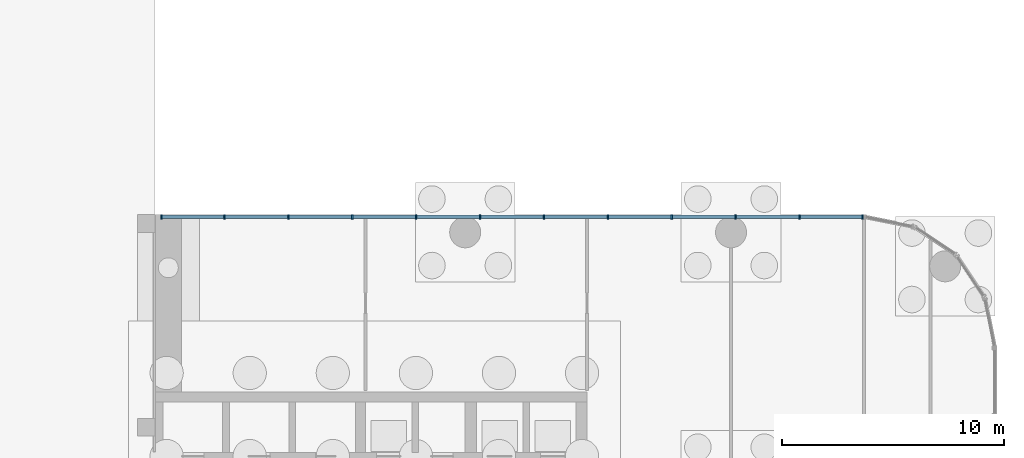
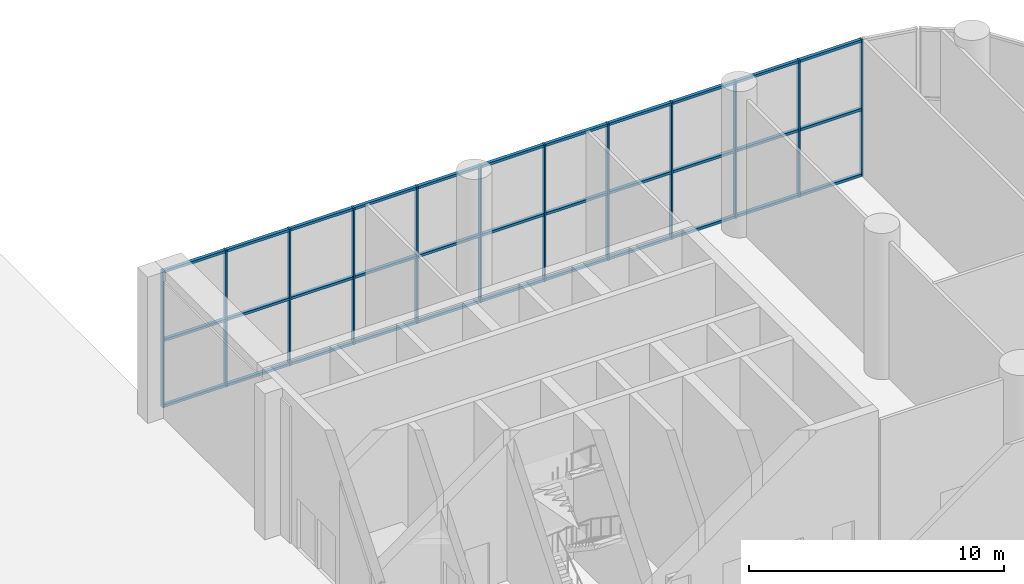
# One storey, part 11 of 26: 45 members, 1 element without a shape of its own.
"""IFC4 building model written with IfcOpenShell, lengths in metres."""

from ifc_helpers import new_model, si_unit, direction, frame, origin, origin_2d, place, context, subcontext, project, spatial, rectangle, extrude, material, layer, layer_set, material_profile, profile_set, type_object, element, aggregate, save


model = new_model("IFC4")

# Units and contexts
model_context = context("Model", 3, precision=1e-05, world=origin(), true_north=direction((0.0, 1.0)))
body_context = subcontext(model_context, "Body", "Model", "MODEL_VIEW")
ifc_project = project(units=[si_unit("LENGTHUNIT", "METRE"), si_unit("AREAUNIT", "SQUARE_METRE"), si_unit("VOLUMEUNIT", "CUBIC_METRE"), si_unit("PLANEANGLEUNIT", "RADIAN"), si_unit("MASSUNIT", "GRAM", prefix="KILO")], contexts=[model_context])

# Site, building, storey
site_placement = place(None, origin())
site = spatial("IfcSite", under=ifc_project, at=site_placement, CompositionType="ELEMENT")
building_placement = place(site_placement, origin())
building = spatial("IfcBuilding", under=site, at=building_placement, Name="Torana Hotel and Residences", CompositionType="ELEMENT")
storey_placement = place(building_placement, origin())
storey = spatial("IfcBuildingStorey", under=building, at=storey_placement, Name="L00", CompositionType="ELEMENT", Elevation=0.0)

# Curtain wall, members
ifc_material_1 = material(Name="Dark anodised aluminium", Category="aluminium")
ifc_layer = layer(ifc_material_1, 0.199951171875)
ifc_layer_set = layer_set([ifc_layer], Name="CW1 PODIUM SHOPFRONT CURTAIN WALL")
curtain_wall_type = type_object("IfcCurtainWallType", Name="CW1 PODIUM SHOPFRONT CURTAIN WALL", PredefinedType="NOTDEFINED", material=ifc_layer_set)
curtain_wall_placement = place(storey_placement, origin())
curtain_wall = element("IfcCurtainWall", 1, at=curtain_wall_placement, inside=storey, type_object=curtain_wall_type, Name="Curtain wall CW1 L00 e1.10-1", PredefinedType="NOTDEFINED")
ifc_material_2 = material(Name="Dark anodised aluminium", Category="aluminium")
ifc_material_profile_1 = material_profile(ifc_material_2, rectangle(XDim=0.199951171875, YDim=0.070068359375, at=origin_2d()), Name="CW1 MULLION 70x200")
ifc_profile_set_1 = profile_set([ifc_material_profile_1], Name="Dark anodised aluminium")
member_type_1 = type_object("IfcMemberType", Name="CW1 MULLION 70x200", PredefinedType="MULLION", material=ifc_profile_set_1)
member_1_placement = place(storey_placement, frame((41.9404296875, 7.89990234375, 0.0), z_axis=(0.0, 0.0, 1.0), x_axis=(0.0, -1.0, 0.0)))
member_1 = element("IfcMember", 2, at=member_1_placement, type_object=member_type_1, Name="CW1 mullion 1", PredefinedType="MULLION", context=body_context, shape_type="SweptSolid", body=[
    extrude(rectangle(XDim=0.199951171875, YDim=0.070068359375, at=origin_2d()), origin(), (0.0, 0.0, 1.0), 6.550048828125),
])
member_2_placement = place(storey_placement, frame((39.09130859375, 7.89990234375, 0.0), z_axis=(0.0, 0.0, 1.0), x_axis=(0.0, -1.0, 0.0)))
member_2 = element("IfcMember", 3, at=member_2_placement, type_object=member_type_1, Name="CW1 mullion 2", PredefinedType="MULLION", context=body_context, shape_type="SweptSolid", body=[
    extrude(rectangle(XDim=0.199951171875, YDim=0.070068359375, at=origin_2d()), origin(), (0.0, 0.0, 1.0), 6.550048828125),
])
member_3_placement = place(storey_placement, frame((36.20703125, 7.89990234375, 0.0), z_axis=(0.0, 0.0, 1.0), x_axis=(0.0, -1.0, 0.0)))
member_3 = element("IfcMember", 4, at=member_3_placement, type_object=member_type_1, Name="CW1 mullion 3", PredefinedType="MULLION", context=body_context, shape_type="SweptSolid", body=[
    extrude(rectangle(XDim=0.199951171875, YDim=0.070068359375, at=origin_2d()), origin(), (0.0, 0.0, 1.0), 6.550048828125),
])
member_4_placement = place(storey_placement, frame((33.322998046875, 7.89990234375, 0.0), z_axis=(0.0, 0.0, 1.0), x_axis=(0.0, -1.0, 0.0)))
member_4 = element("IfcMember", 5, at=member_4_placement, type_object=member_type_1, Name="CW1 mullion 4", PredefinedType="MULLION", context=body_context, shape_type="SweptSolid", body=[
    extrude(rectangle(XDim=0.199951171875, YDim=0.070068359375, at=origin_2d()), origin(), (0.0, 0.0, 1.0), 6.550048828125),
])
member_5_placement = place(storey_placement, frame((30.43896484375, 7.89990234375, 0.0), z_axis=(0.0, 0.0, 1.0), x_axis=(0.0, -1.0, 0.0)))
member_5 = element("IfcMember", 6, at=member_5_placement, type_object=member_type_1, Name="CW1 mullion 5", PredefinedType="MULLION", context=body_context, shape_type="SweptSolid", body=[
    extrude(rectangle(XDim=0.199951171875, YDim=0.070068359375, at=origin_2d()), origin(), (0.0, 0.0, 1.0), 6.550048828125),
])
member_6_placement = place(storey_placement, frame((27.5546875, 7.89990234375, 0.0), z_axis=(0.0, 0.0, 1.0), x_axis=(0.0, -1.0, 0.0)))
member_6 = element("IfcMember", 7, at=member_6_placement, type_object=member_type_1, Name="CW1 mullion 6", PredefinedType="MULLION", context=body_context, shape_type="SweptSolid", body=[
    extrude(rectangle(XDim=0.199951171875, YDim=0.070068359375, at=origin_2d()), origin(), (0.0, 0.0, 1.0), 6.550048828125),
])
member_7_placement = place(storey_placement, frame((24.670654296875, 7.89990234375, 0.0), z_axis=(0.0, 0.0, 1.0), x_axis=(0.0, -1.0, 0.0)))
member_7 = element("IfcMember", 8, at=member_7_placement, type_object=member_type_1, Name="CW1 mullion 7", PredefinedType="MULLION", context=body_context, shape_type="SweptSolid", body=[
    extrude(rectangle(XDim=0.199951171875, YDim=0.070068359375, at=origin_2d()), origin(), (0.0, 0.0, 1.0), 6.550048828125),
])
member_8_placement = place(storey_placement, frame((21.78662109375, 7.89990234375, 0.0), z_axis=(0.0, 0.0, 1.0), x_axis=(0.0, -1.0, 0.0)))
member_8 = element("IfcMember", 9, at=member_8_placement, type_object=member_type_1, Name="CW1 mullion 8", PredefinedType="MULLION", context=body_context, shape_type="SweptSolid", body=[
    extrude(rectangle(XDim=0.199951171875, YDim=0.070068359375, at=origin_2d()), origin(), (0.0, 0.0, 1.0), 6.550048828125),
])
member_9_placement = place(storey_placement, frame((18.90234375, 7.89990234375, 0.0), z_axis=(0.0, 0.0, 1.0), x_axis=(0.0, -1.0, 0.0)))
member_9 = element("IfcMember", 10, at=member_9_placement, type_object=member_type_1, Name="CW1 mullion 9", PredefinedType="MULLION", context=body_context, shape_type="SweptSolid", body=[
    extrude(rectangle(XDim=0.199951171875, YDim=0.070068359375, at=origin_2d()), origin(), (0.0, 0.0, 1.0), 6.550048828125),
])
member_10_placement = place(storey_placement, frame((16.018310546875, 7.89990234375, 0.0), z_axis=(0.0, 0.0, 1.0), x_axis=(0.0, -1.0, 0.0)))
member_10 = element("IfcMember", 11, at=member_10_placement, type_object=member_type_1, Name="CW1 mullion 10", PredefinedType="MULLION", context=body_context, shape_type="SweptSolid", body=[
    extrude(rectangle(XDim=0.199951171875, YDim=0.070068359375, at=origin_2d()), origin(), (0.0, 0.0, 1.0), 6.550048828125),
])
member_11_placement = place(storey_placement, frame((13.134033203125, 7.89990234375, 0.0), z_axis=(0.0, 0.0, 1.0), x_axis=(0.0, -1.0, 0.0)))
member_11 = element("IfcMember", 12, at=member_11_placement, type_object=member_type_1, Name="CW1 mullion 11", PredefinedType="MULLION", context=body_context, shape_type="SweptSolid", body=[
    extrude(rectangle(XDim=0.199951171875, YDim=0.070068359375, at=origin_2d()), origin(), (0.0, 0.0, 1.0), 6.550048828125),
])
member_12_placement = place(storey_placement, frame((10.284912109375, 7.89990234375, 0.0), z_axis=(0.0, 0.0, 1.0), x_axis=(0.0, -1.0, 0.0)))
member_12 = element("IfcMember", 13, at=member_12_placement, type_object=member_type_1, Name="CW1 mullion 12", PredefinedType="MULLION", context=body_context, shape_type="SweptSolid", body=[
    extrude(rectangle(XDim=0.199951171875, YDim=0.070068359375, at=origin_2d()), origin(), (0.0, 0.0, 1.0), 6.550048828125),
])
ifc_material_3 = material(Name="Dark anodised aluminium", Category="aluminium")
ifc_material_profile_2 = material_profile(ifc_material_3, rectangle(XDim=0.14990234375, YDim=0.1201171875, at=origin_2d()), Name="CW1 TRANSOM 150x120")
ifc_profile_set_2 = profile_set([ifc_material_profile_2], Name="Dark anodised aluminium")
member_type_2 = type_object("IfcMemberType", Name="CW1 TRANSOM 150x120", PredefinedType="USERDEFINED", material=ifc_profile_set_2)
member_13_placement = place(storey_placement, frame((41.905517578125, 7.89990234375, 0.06005859375), z_axis=(-1.0, 0.0, 0.0), x_axis=(0.0, -1.0, 0.0)))
member_13 = element("IfcMember", 14, at=member_13_placement, type_object=member_type_2, Name="CW1 transom 1.1", ObjectType="TRANSOM", PredefinedType="USERDEFINED", context=body_context, shape_type="SweptSolid", body=[
    extrude(rectangle(XDim=0.14990234375, YDim=0.1201171875, at=origin_2d()), origin(), (0.0, 0.0, 1.0), 2.779296875),
])
member_14_placement = place(storey_placement, frame((41.905517578125, 7.89990234375, 3.199951171875), z_axis=(-1.0, 0.0, 0.0), x_axis=(0.0, -1.0, 0.0)))
member_14 = element("IfcMember", 15, at=member_14_placement, type_object=member_type_2, Name="CW1 transom 1.2", ObjectType="TRANSOM", PredefinedType="USERDEFINED", context=body_context, shape_type="SweptSolid", body=[
    extrude(rectangle(XDim=0.14990234375, YDim=0.1201171875, at=origin_2d()), origin(), (0.0, 0.0, 1.0), 2.779296875),
])
member_15_placement = place(storey_placement, frame((41.905517578125, 7.89990234375, 6.489990234375), z_axis=(-1.0, 0.0, 0.0), x_axis=(0.0, -1.0, 0.0)))
member_15 = element("IfcMember", 16, at=member_15_placement, type_object=member_type_2, Name="CW1 transom 1.3", ObjectType="TRANSOM", PredefinedType="USERDEFINED", context=body_context, shape_type="SweptSolid", body=[
    extrude(rectangle(XDim=0.14990234375, YDim=0.1201171875, at=origin_2d()), origin(), (0.0, 0.0, 1.0), 2.779296875),
])
member_16_placement = place(storey_placement, frame((39.05615234375, 7.89990234375, 0.06005859375), z_axis=(-1.0, 0.0, 0.0), x_axis=(0.0, -1.0, 0.0)))
member_16 = element("IfcMember", 17, at=member_16_placement, type_object=member_type_2, Name="CW1 transom 2.1", ObjectType="TRANSOM", PredefinedType="USERDEFINED", context=body_context, shape_type="SweptSolid", body=[
    extrude(rectangle(XDim=0.14990234375, YDim=0.1201171875, at=origin_2d()), origin(), (0.0, 0.0, 1.0), 2.81396484375),
])
member_17_placement = place(storey_placement, frame((39.05615234375, 7.89990234375, 3.199951171875), z_axis=(-1.0, 0.0, 0.0), x_axis=(0.0, -1.0, 0.0)))
member_17 = element("IfcMember", 18, at=member_17_placement, type_object=member_type_2, Name="CW1 transom 2.2", ObjectType="TRANSOM", PredefinedType="USERDEFINED", context=body_context, shape_type="SweptSolid", body=[
    extrude(rectangle(XDim=0.14990234375, YDim=0.1201171875, at=origin_2d()), origin(), (0.0, 0.0, 1.0), 2.81396484375),
])
member_18_placement = place(storey_placement, frame((39.05615234375, 7.89990234375, 6.489990234375), z_axis=(-1.0, 0.0, 0.0), x_axis=(0.0, -1.0, 0.0)))
member_18 = element("IfcMember", 19, at=member_18_placement, type_object=member_type_2, Name="CW1 transom 2.3", ObjectType="TRANSOM", PredefinedType="USERDEFINED", context=body_context, shape_type="SweptSolid", body=[
    extrude(rectangle(XDim=0.14990234375, YDim=0.1201171875, at=origin_2d()), origin(), (0.0, 0.0, 1.0), 2.81396484375),
])
member_19_placement = place(storey_placement, frame((36.172119140625, 7.89990234375, 0.06005859375), z_axis=(-1.0, 0.0, 0.0), x_axis=(0.0, -1.0, 0.0)))
member_19 = element("IfcMember", 20, at=member_19_placement, type_object=member_type_2, Name="CW1 transom 3.1", ObjectType="TRANSOM", PredefinedType="USERDEFINED", context=body_context, shape_type="SweptSolid", body=[
    extrude(rectangle(XDim=0.14990234375, YDim=0.1201171875, at=origin_2d()), origin(), (0.0, 0.0, 1.0), 2.814208984375),
])
member_20_placement = place(storey_placement, frame((36.172119140625, 7.89990234375, 3.199951171875), z_axis=(-1.0, 0.0, 0.0), x_axis=(0.0, -1.0, 0.0)))
member_20 = element("IfcMember", 21, at=member_20_placement, type_object=member_type_2, Name="CW1 transom 3.2", ObjectType="TRANSOM", PredefinedType="USERDEFINED", context=body_context, shape_type="SweptSolid", body=[
    extrude(rectangle(XDim=0.14990234375, YDim=0.1201171875, at=origin_2d()), origin(), (0.0, 0.0, 1.0), 2.814208984375),
])
member_21_placement = place(storey_placement, frame((36.172119140625, 7.89990234375, 6.489990234375), z_axis=(-1.0, 0.0, 0.0), x_axis=(0.0, -1.0, 0.0)))
member_21 = element("IfcMember", 22, at=member_21_placement, type_object=member_type_2, Name="CW1 transom 3.3", ObjectType="TRANSOM", PredefinedType="USERDEFINED", context=body_context, shape_type="SweptSolid", body=[
    extrude(rectangle(XDim=0.14990234375, YDim=0.1201171875, at=origin_2d()), origin(), (0.0, 0.0, 1.0), 2.814208984375),
])
member_22_placement = place(storey_placement, frame((33.2880859375, 7.89990234375, 0.06005859375), z_axis=(-1.0, 0.0, 0.0), x_axis=(0.0, -1.0, 0.0)))
member_22 = element("IfcMember", 23, at=member_22_placement, type_object=member_type_2, Name="CW1 transom 4.1", ObjectType="TRANSOM", PredefinedType="USERDEFINED", context=body_context, shape_type="SweptSolid", body=[
    extrude(rectangle(XDim=0.14990234375, YDim=0.1201171875, at=origin_2d()), origin(), (0.0, 0.0, 1.0), 2.814208984375),
])
member_23_placement = place(storey_placement, frame((33.2880859375, 7.89990234375, 3.199951171875), z_axis=(-1.0, 0.0, 0.0), x_axis=(0.0, -1.0, 0.0)))
member_23 = element("IfcMember", 24, at=member_23_placement, type_object=member_type_2, Name="CW1 transom 4.2", ObjectType="TRANSOM", PredefinedType="USERDEFINED", context=body_context, shape_type="SweptSolid", body=[
    extrude(rectangle(XDim=0.14990234375, YDim=0.1201171875, at=origin_2d()), origin(), (0.0, 0.0, 1.0), 2.814208984375),
])
member_24_placement = place(storey_placement, frame((33.2880859375, 7.89990234375, 6.489990234375), z_axis=(-1.0, 0.0, 0.0), x_axis=(0.0, -1.0, 0.0)))
member_24 = element("IfcMember", 25, at=member_24_placement, type_object=member_type_2, Name="CW1 transom 4.3", ObjectType="TRANSOM", PredefinedType="USERDEFINED", context=body_context, shape_type="SweptSolid", body=[
    extrude(rectangle(XDim=0.14990234375, YDim=0.1201171875, at=origin_2d()), origin(), (0.0, 0.0, 1.0), 2.814208984375),
])
member_25_placement = place(storey_placement, frame((30.40380859375, 7.89990234375, 0.06005859375), z_axis=(-1.0, 0.0, 0.0), x_axis=(0.0, -1.0, 0.0)))
member_25 = element("IfcMember", 26, at=member_25_placement, type_object=member_type_2, Name="CW1 transom 5.1", ObjectType="TRANSOM", PredefinedType="USERDEFINED", context=body_context, shape_type="SweptSolid", body=[
    extrude(rectangle(XDim=0.14990234375, YDim=0.1201171875, at=origin_2d()), origin(), (0.0, 0.0, 1.0), 2.81396484375),
])
member_26_placement = place(storey_placement, frame((30.40380859375, 7.89990234375, 3.199951171875), z_axis=(-1.0, 0.0, 0.0), x_axis=(0.0, -1.0, 0.0)))
member_26 = element("IfcMember", 27, at=member_26_placement, type_object=member_type_2, Name="CW1 transom 5.2", ObjectType="TRANSOM", PredefinedType="USERDEFINED", context=body_context, shape_type="SweptSolid", body=[
    extrude(rectangle(XDim=0.14990234375, YDim=0.1201171875, at=origin_2d()), origin(), (0.0, 0.0, 1.0), 2.81396484375),
])
member_27_placement = place(storey_placement, frame((30.40380859375, 7.89990234375, 6.489990234375), z_axis=(-1.0, 0.0, 0.0), x_axis=(0.0, -1.0, 0.0)))
member_27 = element("IfcMember", 28, at=member_27_placement, type_object=member_type_2, Name="CW1 transom 5.3", ObjectType="TRANSOM", PredefinedType="USERDEFINED", context=body_context, shape_type="SweptSolid", body=[
    extrude(rectangle(XDim=0.14990234375, YDim=0.1201171875, at=origin_2d()), origin(), (0.0, 0.0, 1.0), 2.81396484375),
])
member_28_placement = place(storey_placement, frame((27.519775390625, 7.89990234375, 0.06005859375), z_axis=(-1.0, 0.0, 0.0), x_axis=(0.0, -1.0, 0.0)))
member_28 = element("IfcMember", 29, at=member_28_placement, type_object=member_type_2, Name="CW1 transom 6.1", ObjectType="TRANSOM", PredefinedType="USERDEFINED", context=body_context, shape_type="SweptSolid", body=[
    extrude(rectangle(XDim=0.14990234375, YDim=0.1201171875, at=origin_2d()), origin(), (0.0, 0.0, 1.0), 2.814208984375),
])
member_29_placement = place(storey_placement, frame((27.519775390625, 7.89990234375, 3.199951171875), z_axis=(-1.0, 0.0, 0.0), x_axis=(0.0, -1.0, 0.0)))
member_29 = element("IfcMember", 30, at=member_29_placement, type_object=member_type_2, Name="CW1 transom 6.2", ObjectType="TRANSOM", PredefinedType="USERDEFINED", context=body_context, shape_type="SweptSolid", body=[
    extrude(rectangle(XDim=0.14990234375, YDim=0.1201171875, at=origin_2d()), origin(), (0.0, 0.0, 1.0), 2.814208984375),
])
member_30_placement = place(storey_placement, frame((27.519775390625, 7.89990234375, 6.489990234375), z_axis=(-1.0, 0.0, 0.0), x_axis=(0.0, -1.0, 0.0)))
member_30 = element("IfcMember", 31, at=member_30_placement, type_object=member_type_2, Name="CW1 transom 6.3", ObjectType="TRANSOM", PredefinedType="USERDEFINED", context=body_context, shape_type="SweptSolid", body=[
    extrude(rectangle(XDim=0.14990234375, YDim=0.1201171875, at=origin_2d()), origin(), (0.0, 0.0, 1.0), 2.814208984375),
])
member_31_placement = place(storey_placement, frame((24.6357421875, 7.89990234375, 0.06005859375), z_axis=(-1.0, 0.0, 0.0), x_axis=(0.0, -1.0, 0.0)))
member_31 = element("IfcMember", 32, at=member_31_placement, type_object=member_type_2, Name="CW1 transom 7.1", ObjectType="TRANSOM", PredefinedType="USERDEFINED", context=body_context, shape_type="SweptSolid", body=[
    extrude(rectangle(XDim=0.14990234375, YDim=0.1201171875, at=origin_2d()), origin(), (0.0, 0.0, 1.0), 2.814208984375),
])
member_32_placement = place(storey_placement, frame((24.6357421875, 7.89990234375, 3.199951171875), z_axis=(-1.0, 0.0, 0.0), x_axis=(0.0, -1.0, 0.0)))
member_32 = element("IfcMember", 33, at=member_32_placement, type_object=member_type_2, Name="CW1 transom 7.2", ObjectType="TRANSOM", PredefinedType="USERDEFINED", context=body_context, shape_type="SweptSolid", body=[
    extrude(rectangle(XDim=0.14990234375, YDim=0.1201171875, at=origin_2d()), origin(), (0.0, 0.0, 1.0), 2.814208984375),
])
member_33_placement = place(storey_placement, frame((24.6357421875, 7.89990234375, 6.489990234375), z_axis=(-1.0, 0.0, 0.0), x_axis=(0.0, -1.0, 0.0)))
member_33 = element("IfcMember", 34, at=member_33_placement, type_object=member_type_2, Name="CW1 transom 7.3", ObjectType="TRANSOM", PredefinedType="USERDEFINED", context=body_context, shape_type="SweptSolid", body=[
    extrude(rectangle(XDim=0.14990234375, YDim=0.1201171875, at=origin_2d()), origin(), (0.0, 0.0, 1.0), 2.814208984375),
])
member_34_placement = place(storey_placement, frame((21.75146484375, 7.89990234375, 0.06005859375), z_axis=(-1.0, 0.0, 0.0), x_axis=(0.0, -1.0, 0.0)))
member_34 = element("IfcMember", 35, at=member_34_placement, type_object=member_type_2, Name="CW1 transom 8.1", ObjectType="TRANSOM", PredefinedType="USERDEFINED", context=body_context, shape_type="SweptSolid", body=[
    extrude(rectangle(XDim=0.14990234375, YDim=0.1201171875, at=origin_2d()), origin(), (0.0, 0.0, 1.0), 2.81396484375),
])
member_35_placement = place(storey_placement, frame((21.75146484375, 7.89990234375, 3.199951171875), z_axis=(-1.0, 0.0, 0.0), x_axis=(0.0, -1.0, 0.0)))
member_35 = element("IfcMember", 36, at=member_35_placement, type_object=member_type_2, Name="CW1 transom 8.2", ObjectType="TRANSOM", PredefinedType="USERDEFINED", context=body_context, shape_type="SweptSolid", body=[
    extrude(rectangle(XDim=0.14990234375, YDim=0.1201171875, at=origin_2d()), origin(), (0.0, 0.0, 1.0), 2.81396484375),
])
member_36_placement = place(storey_placement, frame((21.75146484375, 7.89990234375, 6.489990234375), z_axis=(-1.0, 0.0, 0.0), x_axis=(0.0, -1.0, 0.0)))
member_36 = element("IfcMember", 37, at=member_36_placement, type_object=member_type_2, Name="CW1 transom 8.3", ObjectType="TRANSOM", PredefinedType="USERDEFINED", context=body_context, shape_type="SweptSolid", body=[
    extrude(rectangle(XDim=0.14990234375, YDim=0.1201171875, at=origin_2d()), origin(), (0.0, 0.0, 1.0), 2.81396484375),
])
member_37_placement = place(storey_placement, frame((18.867431640625, 7.89990234375, 0.06005859375), z_axis=(-1.0, 0.0, 0.0), x_axis=(0.0, -1.0, 0.0)))
member_37 = element("IfcMember", 38, at=member_37_placement, type_object=member_type_2, Name="CW1 transom 9.1", ObjectType="TRANSOM", PredefinedType="USERDEFINED", context=body_context, shape_type="SweptSolid", body=[
    extrude(rectangle(XDim=0.14990234375, YDim=0.1201171875, at=origin_2d()), origin(), (0.0, 0.0, 1.0), 2.814208984375),
])
member_38_placement = place(storey_placement, frame((18.867431640625, 7.89990234375, 3.199951171875), z_axis=(-1.0, 0.0, 0.0), x_axis=(0.0, -1.0, 0.0)))
member_38 = element("IfcMember", 39, at=member_38_placement, type_object=member_type_2, Name="CW1 transom 9.2", ObjectType="TRANSOM", PredefinedType="USERDEFINED", context=body_context, shape_type="SweptSolid", body=[
    extrude(rectangle(XDim=0.14990234375, YDim=0.1201171875, at=origin_2d()), origin(), (0.0, 0.0, 1.0), 2.814208984375),
])
member_39_placement = place(storey_placement, frame((18.867431640625, 7.89990234375, 6.489990234375), z_axis=(-1.0, 0.0, 0.0), x_axis=(0.0, -1.0, 0.0)))
member_39 = element("IfcMember", 40, at=member_39_placement, type_object=member_type_2, Name="CW1 transom 9.3", ObjectType="TRANSOM", PredefinedType="USERDEFINED", context=body_context, shape_type="SweptSolid", body=[
    extrude(rectangle(XDim=0.14990234375, YDim=0.1201171875, at=origin_2d()), origin(), (0.0, 0.0, 1.0), 2.814208984375),
])
member_40_placement = place(storey_placement, frame((15.983154296875, 7.89990234375, 0.06005859375), z_axis=(-1.0, 0.0, 0.0), x_axis=(0.0, -1.0, 0.0)))
member_40 = element("IfcMember", 41, at=member_40_placement, type_object=member_type_2, Name="CW1 transom 10.1", ObjectType="TRANSOM", PredefinedType="USERDEFINED", context=body_context, shape_type="SweptSolid", body=[
    extrude(rectangle(XDim=0.14990234375, YDim=0.1201171875, at=origin_2d()), origin(), (0.0, 0.0, 1.0), 2.81396484375),
])
member_41_placement = place(storey_placement, frame((15.983154296875, 7.89990234375, 3.199951171875), z_axis=(-1.0, 0.0, 0.0), x_axis=(0.0, -1.0, 0.0)))
member_41 = element("IfcMember", 42, at=member_41_placement, type_object=member_type_2, Name="CW1 transom 10.2", ObjectType="TRANSOM", PredefinedType="USERDEFINED", context=body_context, shape_type="SweptSolid", body=[
    extrude(rectangle(XDim=0.14990234375, YDim=0.1201171875, at=origin_2d()), origin(), (0.0, 0.0, 1.0), 2.81396484375),
])
member_42_placement = place(storey_placement, frame((15.983154296875, 7.89990234375, 6.489990234375), z_axis=(-1.0, 0.0, 0.0), x_axis=(0.0, -1.0, 0.0)))
member_42 = element("IfcMember", 43, at=member_42_placement, type_object=member_type_2, Name="CW1 transom 10.3", ObjectType="TRANSOM", PredefinedType="USERDEFINED", context=body_context, shape_type="SweptSolid", body=[
    extrude(rectangle(XDim=0.14990234375, YDim=0.1201171875, at=origin_2d()), origin(), (0.0, 0.0, 1.0), 2.81396484375),
])
member_43_placement = place(storey_placement, frame((13.09912109375, 7.89990234375, 0.06005859375), z_axis=(-1.0, 0.0, 0.0), x_axis=(0.0, -1.0, 0.0)))
member_43 = element("IfcMember", 44, at=member_43_placement, type_object=member_type_2, Name="CW1 transom 11.1", ObjectType="TRANSOM", PredefinedType="USERDEFINED", context=body_context, shape_type="SweptSolid", body=[
    extrude(rectangle(XDim=0.14990234375, YDim=0.1201171875, at=origin_2d()), origin(), (0.0, 0.0, 1.0), 2.779052734375),
])
member_44_placement = place(storey_placement, frame((13.09912109375, 7.89990234375, 3.199951171875), z_axis=(-1.0, 0.0, 0.0), x_axis=(0.0, -1.0, 0.0)))
member_44 = element("IfcMember", 45, at=member_44_placement, type_object=member_type_2, Name="CW1 transom 11.2", ObjectType="TRANSOM", PredefinedType="USERDEFINED", context=body_context, shape_type="SweptSolid", body=[
    extrude(rectangle(XDim=0.14990234375, YDim=0.1201171875, at=origin_2d()), origin(), (0.0, 0.0, 1.0), 2.779052734375),
])
member_45_placement = place(storey_placement, frame((13.09912109375, 7.89990234375, 6.489990234375), z_axis=(-1.0, 0.0, 0.0), x_axis=(0.0, -1.0, 0.0)))
member_45 = element("IfcMember", 46, at=member_45_placement, type_object=member_type_2, Name="CW1 transom 11.3", ObjectType="TRANSOM", PredefinedType="USERDEFINED", context=body_context, shape_type="SweptSolid", body=[
    extrude(rectangle(XDim=0.14990234375, YDim=0.1201171875, at=origin_2d()), origin(), (0.0, 0.0, 1.0), 2.779052734375),
])
aggregate(curtain_wall, [member_1, member_2, member_3, member_4, member_5, member_6, member_7, member_8, member_9, member_10, member_11, member_12, member_13, member_14, member_15, member_16, member_17, member_18, member_19, member_20, member_21, member_22, member_23, member_24, member_25, member_26, member_27, member_28, member_29, member_30, member_31, member_32, member_33, member_34, member_35, member_36, member_37, member_38, member_39, member_40, member_41, member_42, member_43, member_44, member_45])

save(model, "model.ifc")
